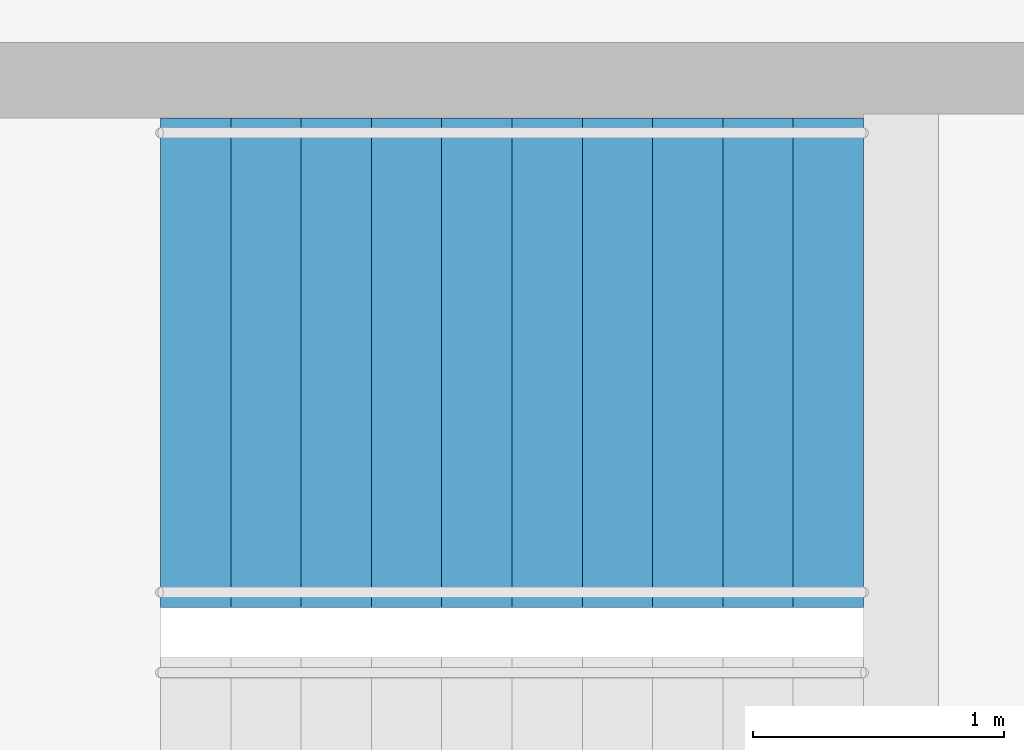
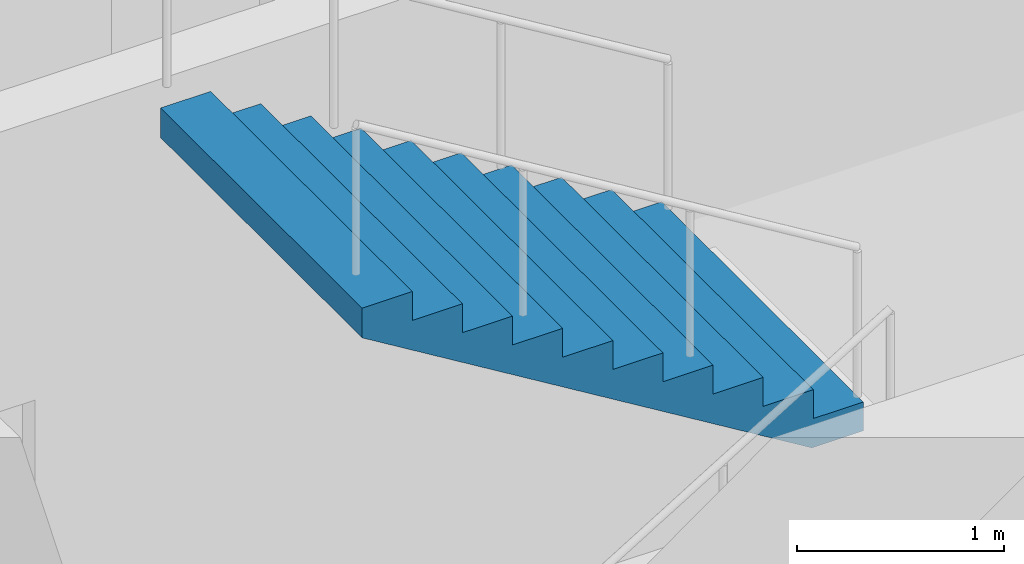
# One storey, part 20 of 23: 1 stair flight, 1 element without a shape of its own.
"""IFC4 building model written with IfcOpenShell, lengths in metres."""

from ifc_helpers import new_model, si_unit, direction, frame, origin, place, context, subcontext, project, spatial, triangles, material, type_object, element, aggregate, save


model = new_model("IFC4")

# Units and contexts
model_context = context("Model", 3, precision=1e-05, world=origin(), true_north=direction((0.0, 1.0)))
body_context = subcontext(model_context, "Body", "Model", "MODEL_VIEW")
ifc_project = project(units=[si_unit("LENGTHUNIT", "METRE"), si_unit("AREAUNIT", "SQUARE_METRE"), si_unit("VOLUMEUNIT", "CUBIC_METRE"), si_unit("PLANEANGLEUNIT", "RADIAN"), si_unit("MASSUNIT", "GRAM", prefix="KILO")], contexts=[model_context])

# Site, building, storey
site_placement = place(None, origin())
site = spatial("IfcSite", under=ifc_project, at=site_placement, CompositionType="ELEMENT")
building_placement = place(site_placement, origin())
building = spatial("IfcBuilding", under=site, at=building_placement, Name="Orbita Commons", CompositionType="ELEMENT")
storey_placement = place(building_placement, frame((0.0, 0.0, 250.300048828125)))
storey = spatial("IfcBuildingStorey", under=building, at=storey_placement, Name="L62", CompositionType="ELEMENT", Elevation=250.300048828125)

# Stair, stair flight
ifc_material_1 = material(Name="Precast concrete C40/50", Category="concrete")
stair_type = type_object("IfcStairType", Name="Exit stair S1 2 flights 11 risers 170", PredefinedType="HALF_TURN_STAIR", material=ifc_material_1)
stair_placement = place(storey_placement, origin())
stair = element("IfcStair", 1, at=stair_placement, inside=storey, type_object=stair_type, Name="Exit stair S1 L62", PredefinedType="HALF_TURN_STAIR")
ifc_material_2 = material(Name="Precast concrete C40/50", Category="concrete")
stair_flight_type = type_object("IfcStairFlightType", Name="Stair flight 11 risers 170 x 280", PredefinedType="STRAIGHT", material=ifc_material_2)
stair_flight_placement = place(storey_placement, frame((23.25, 29.27490234375, 1.875), z_axis=(0.0, 0.0, 1.0), x_axis=(-1.0, 0.0, 0.0)))
stair_flight = element("IfcStairFlight", 2, at=stair_flight_placement, type_object=stair_flight_type, Name="S1 flight 2", NumberOfRisers=11, NumberOfTreads=10, PredefinedType="STRAIGHT", RiserHeight=0.170454545, TreadLength=0.28, context=body_context, shape_type="Tessellation", body=[
    triangles([(0.0, 0.974976, 0.0), (0.0, 0.974976, 0.021307), (0.0, 0.81248, 0.021307), (0.0, 0.81248, 0.0), (0.0, 0.649984, 0.021307), (0.0, 0.649984, 0.0), (0.0, 0.487488, 0.021307), (0.0, 0.487488, 0.0), (0.0, 0.324992, 0.021307), (0.0, 0.324992, 0.0), (0.0, 0.162496, 0.021307), (0.0, 0.162496, 0.0), (0.0, 0.0, 0.021307), (0.0, 0.0, 0.0), (0.0, -0.162496, 0.021307), (0.0, -0.162496, 0.0), (0.0, -0.324992, 0.021307), (0.0, -0.324992, 0.0), (0.0, -0.487488, 0.021307), (0.0, -0.487488, 0.0), (0.0, -0.649984, 0.021307), (0.0, -0.649984, 0.0), (0.0, -0.81248, 0.021307), (0.0, -0.81248, 0.0), (0.0, -0.974976, 0.021307), (0.0, -0.974976, 0.0), (0.0, 0.974976, 0.042614), (0.0, 0.81248, 0.042614), (0.0, 0.649984, 0.042614), (0.0, 0.487488, 0.042614), (0.0, 0.324992, 0.042614), (0.0, 0.162496, 0.042614), (0.0, 0.0, 0.042614), (0.0, -0.162496, 0.042614), (0.0, -0.324992, 0.042614), (0.0, -0.487488, 0.042614), (0.0, -0.649984, 0.042614), (0.0, -0.81248, 0.042614), (0.0, -0.974976, 0.042614), (0.0, 0.974976, 0.06392), (0.0, 0.81248, 0.06392), (0.0, 0.649984, 0.06392), (0.0, 0.487488, 0.06392), (0.0, 0.324992, 0.06392), (0.0, 0.162496, 0.06392), (0.0, 0.0, 0.06392), (0.0, -0.162496, 0.06392), (0.0, -0.324992, 0.06392), (0.0, -0.487488, 0.06392), (0.0, -0.649984, 0.06392), (0.0, -0.81248, 0.06392), (0.0, -0.974976, 0.06392), (0.0, 0.974976, 0.085227), (0.0, 0.81248, 0.085227), (0.0, 0.649984, 0.085227), (0.0, 0.487488, 0.085227), (0.0, 0.324992, 0.085227), (0.0, 0.162496, 0.085227), (0.0, 0.0, 0.085227), (0.0, -0.162496, 0.085227), (0.0, -0.324992, 0.085227), (0.0, -0.487488, 0.085227), (0.0, -0.649984, 0.085227), (0.0, -0.81248, 0.085227), (0.0, -0.974976, 0.085227), (0.0, 0.974976, 0.106534), (0.0, 0.81248, 0.106534), (0.0, 0.649984, 0.106534), (0.0, 0.487488, 0.106534), (0.0, 0.324992, 0.106534), (0.0, 0.162496, 0.106534), (0.0, 0.0, 0.106534), (0.0, -0.162496, 0.106534), (0.0, -0.324992, 0.106534), (0.0, -0.487488, 0.106534), (0.0, -0.649984, 0.106534), (0.0, -0.81248, 0.106534), (0.0, -0.974976, 0.106534), (0.0, 0.974976, 0.127841), (0.0, 0.81248, 0.127841), (0.0, 0.649984, 0.127841), (0.0, 0.487488, 0.127841), (0.0, 0.324992, 0.127841), (0.0, 0.162496, 0.127841), (0.0, 0.0, 0.127841), (0.0, -0.162496, 0.127841), (0.0, -0.324992, 0.127841), (0.0, -0.487488, 0.127841), (0.0, -0.649984, 0.127841), (0.0, -0.81248, 0.127841), (0.0, -0.974976, 0.127841), (0.0, 0.974976, 0.149148), (0.0, 0.81248, 0.149148), (0.0, 0.649984, 0.149148), (0.0, 0.487488, 0.149148), (0.0, 0.324992, 0.149148), (0.0, 0.162496, 0.149148), (0.0, 0.0, 0.149148), (0.0, -0.162496, 0.149148), (0.0, -0.324992, 0.149148), (0.0, -0.487488, 0.149148), (0.0, -0.649984, 0.149148), (0.0, -0.81248, 0.149148), (0.0, -0.974976, 0.149148), (0.0, 0.974976, 0.170455), (0.0, 0.81248, 0.170455), (0.0, 0.649984, 0.170455), (0.0, 0.487488, 0.170455), (0.0, 0.324992, 0.170455), (0.0, 0.162496, 0.170455), (0.0, 0.0, 0.170455), (0.0, -0.162496, 0.170455), (0.0, -0.324992, 0.170455), (0.0, -0.487488, 0.170455), (0.0, -0.649984, 0.170455), (0.0, -0.81248, 0.170455), (0.0, -0.974976, 0.170455), (0.28, 0.974976, 0.170455), (0.28, 0.81248, 0.170455), (0.28, 0.649984, 0.170455), (0.28, 0.487488, 0.170455), (0.28, 0.324992, 0.170455), (0.28, 0.162496, 0.170455), (0.28, 0.0, 0.170455), (0.28, -0.162496, 0.170455), (0.28, -0.324992, 0.170455), (0.28, -0.487488, 0.170455), (0.28, -0.649984, 0.170455), (0.28, -0.81248, 0.170455), (0.28, -0.974976, 0.170455), (0.28, 0.974976, 0.340909), (0.28, 0.81248, 0.340909), (0.28, 0.649984, 0.340909), (0.28, 0.487488, 0.340909), (0.28, 0.324992, 0.340909), (0.28, 0.162496, 0.340909), (0.28, 0.0, 0.340909), (0.28, -0.162496, 0.340909), (0.28, -0.324992, 0.340909), (0.28, -0.487488, 0.340909), (0.28, -0.649984, 0.340909), (0.28, -0.81248, 0.340909), (0.28, -0.974976, 0.340909), (0.56, 0.974976, 0.340909), (0.56, 0.81248, 0.340909), (0.56, 0.649984, 0.340909), (0.56, 0.487488, 0.340909), (0.56, 0.324992, 0.340909), (0.56, 0.162496, 0.340909), (0.56, 0.0, 0.340909), (0.56, -0.162496, 0.340909), (0.56, -0.324992, 0.340909), (0.56, -0.487488, 0.340909), (0.56, -0.649984, 0.340909), (0.56, -0.81248, 0.340909), (0.56, -0.974976, 0.340909), (0.56, 0.974976, 0.511364), (0.56, 0.81248, 0.511364), (0.56, 0.649984, 0.511364), (0.56, 0.487488, 0.511364), (0.56, 0.324992, 0.511364), (0.56, 0.162496, 0.511364), (0.56, 0.0, 0.511364), (0.56, -0.162496, 0.511364), (0.56, -0.324992, 0.511364), (0.56, -0.487488, 0.511364), (0.56, -0.649984, 0.511364), (0.56, -0.81248, 0.511364), (0.56, -0.974976, 0.511364), (0.84, 0.974976, 0.511364), (0.84, 0.81248, 0.511364), (0.84, 0.649984, 0.511364), (0.84, 0.487488, 0.511364), (0.84, 0.324992, 0.511364), (0.84, 0.162496, 0.511364), (0.84, 0.0, 0.511364), (0.84, -0.162496, 0.511364), (0.84, -0.324992, 0.511364), (0.84, -0.487488, 0.511364), (0.84, -0.649984, 0.511364), (0.84, -0.81248, 0.511364), (0.84, -0.974976, 0.511364), (0.84, 0.974976, 0.681818), (0.84, 0.81248, 0.681818), (0.84, 0.649984, 0.681818), (0.84, 0.487488, 0.681818), (0.84, 0.324992, 0.681818), (0.84, 0.162496, 0.681818), (0.84, 0.0, 0.681818), (0.84, -0.162496, 0.681818), (0.84, -0.324992, 0.681818), (0.84, -0.487488, 0.681818), (0.84, -0.649984, 0.681818), (0.84, -0.81248, 0.681818), (0.84, -0.974976, 0.681818), (1.12, 0.974976, 0.681818), (1.12, 0.81248, 0.681818), (1.12, 0.649984, 0.681818), (1.12, 0.487488, 0.681818), (1.12, 0.324992, 0.681818), (1.12, 0.162496, 0.681818), (1.12, 0.0, 0.681818), (1.12, -0.162496, 0.681818), (1.12, -0.324992, 0.681818), (1.12, -0.487488, 0.681818), (1.12, -0.649984, 0.681818), (1.12, -0.81248, 0.681818), (1.12, -0.974976, 0.681818), (1.12, 0.974976, 0.852273), (1.12, 0.81248, 0.852273), (1.12, 0.649984, 0.852273), (1.12, 0.487488, 0.852273), (1.12, 0.324992, 0.852273), (1.12, 0.162496, 0.852273), (1.12, 0.0, 0.852273), (1.12, -0.162496, 0.852273), (1.12, -0.324992, 0.852273), (1.12, -0.487488, 0.852273), (1.12, -0.649984, 0.852273), (1.12, -0.81248, 0.852273), (1.12, -0.974976, 0.852273), (1.4, 0.974976, 0.852273), (1.4, 0.81248, 0.852273), (1.4, 0.649984, 0.852273), (1.4, 0.487488, 0.852273), (1.4, 0.324992, 0.852273), (1.4, 0.162496, 0.852273), (1.4, 0.0, 0.852273), (1.4, -0.162496, 0.852273), (1.4, -0.324992, 0.852273), (1.4, -0.487488, 0.852273), (1.4, -0.649984, 0.852273), (1.4, -0.81248, 0.852273), (1.4, -0.974976, 0.852273), (1.4, 0.974976, 1.022727), (1.4, 0.81248, 1.022727), (1.4, 0.649984, 1.022727), (1.4, 0.487488, 1.022727), (1.4, 0.324992, 1.022727), (1.4, 0.162496, 1.022727), (1.4, 0.0, 1.022727), (1.4, -0.162496, 1.022727), (1.4, -0.324992, 1.022727), (1.4, -0.487488, 1.022727), (1.4, -0.649984, 1.022727), (1.4, -0.81248, 1.022727), (1.4, -0.974976, 1.022727), (1.68, 0.974976, 1.022727), (1.68, 0.81248, 1.022727), (1.68, 0.649984, 1.022727), (1.68, 0.487488, 1.022727), (1.68, 0.324992, 1.022727), (1.68, 0.162496, 1.022727), (1.68, 0.0, 1.022727), (1.68, -0.162496, 1.022727), (1.68, -0.324992, 1.022727), (1.68, -0.487488, 1.022727), (1.68, -0.649984, 1.022727), (1.68, -0.81248, 1.022727), (1.68, -0.974976, 1.022727), (1.68, 0.974976, 1.193182), (1.68, 0.81248, 1.193182), (1.68, 0.649984, 1.193182), (1.68, 0.487488, 1.193182), (1.68, 0.324992, 1.193182), (1.68, 0.162496, 1.193182), (1.68, 0.0, 1.193182), (1.68, -0.162496, 1.193182), (1.68, -0.324992, 1.193182), (1.68, -0.487488, 1.193182), (1.68, -0.649984, 1.193182), (1.68, -0.81248, 1.193182), (1.68, -0.974976, 1.193182), (1.96, 0.974976, 1.193182), (1.96, 0.81248, 1.193182), (1.96, 0.649984, 1.193182), (1.96, 0.487488, 1.193182), (1.96, 0.324992, 1.193182), (1.96, 0.162496, 1.193182), (1.96, 0.0, 1.193182), (1.96, -0.162496, 1.193182), (1.96, -0.324992, 1.193182), (1.96, -0.487488, 1.193182), (1.96, -0.649984, 1.193182), (1.96, -0.81248, 1.193182), (1.96, -0.974976, 1.193182), (1.96, 0.974976, 1.363636), (1.96, 0.81248, 1.363636), (1.96, 0.649984, 1.363636), (1.96, 0.487488, 1.363636), (1.96, 0.324992, 1.363636), (1.96, 0.162496, 1.363636), (1.96, 0.0, 1.363636), (1.96, -0.162496, 1.363636), (1.96, -0.324992, 1.363636), (1.96, -0.487488, 1.363636), (1.96, -0.649984, 1.363636), (1.96, -0.81248, 1.363636), (1.96, -0.974976, 1.363636), (2.24, 0.974976, 1.363636), (2.24, 0.81248, 1.363636), (2.24, 0.649984, 1.363636), (2.24, 0.487488, 1.363636), (2.24, 0.324992, 1.363636), (2.24, 0.162496, 1.363636), (2.24, 0.0, 1.363636), (2.24, -0.162496, 1.363636), (2.24, -0.324992, 1.363636), (2.24, -0.487488, 1.363636), (2.24, -0.649984, 1.363636), (2.24, -0.81248, 1.363636), (2.24, -0.974976, 1.363636), (2.24, 0.974976, 1.534091), (2.24, 0.81248, 1.534091), (2.24, 0.649984, 1.534091), (2.24, 0.487488, 1.534091), (2.24, 0.324992, 1.534091), (2.24, 0.162496, 1.534091), (2.24, 0.0, 1.534091), (2.24, -0.162496, 1.534091), (2.24, -0.324992, 1.534091), (2.24, -0.487488, 1.534091), (2.24, -0.649984, 1.534091), (2.24, -0.81248, 1.534091), (2.24, -0.974976, 1.534091), (2.52, 0.974976, 1.534091), (2.52, 0.81248, 1.534091), (2.52, 0.649984, 1.534091), (2.52, 0.487488, 1.534091), (2.52, 0.324992, 1.534091), (2.52, 0.162496, 1.534091), (2.52, 0.0, 1.534091), (2.52, -0.162496, 1.534091), (2.52, -0.324992, 1.534091), (2.52, -0.487488, 1.534091), (2.52, -0.649984, 1.534091), (2.52, -0.81248, 1.534091), (2.52, -0.974976, 1.534091), (2.52, 0.974976, 1.704545), (2.52, 0.81248, 1.704545), (2.52, 0.649984, 1.704545), (2.52, 0.487488, 1.704545), (2.52, 0.324992, 1.704545), (2.52, 0.162496, 1.704545), (2.52, 0.0, 1.704545), (2.52, -0.162496, 1.704545), (2.52, -0.324992, 1.704545), (2.52, -0.487488, 1.704545), (2.52, -0.649984, 1.704545), (2.52, -0.81248, 1.704545), (2.52, -0.974976, 1.704545), (2.8, 0.974976, 1.704545), (2.8, 0.81248, 1.704545), (2.8, 0.649984, 1.704545), (2.8, 0.487488, 1.704545), (2.8, 0.324992, 1.704545), (2.8, 0.162496, 1.704545), (2.8, 0.0, 1.704545), (2.8, -0.162496, 1.704545), (2.8, -0.324992, 1.704545), (2.8, -0.487488, 1.704545), (2.8, -0.649984, 1.704545), (2.8, -0.81248, 1.704545), (2.8, -0.974976, 1.704545), (2.8, 0.974976, 1.682609), (2.8, 0.81248, 1.682609), (2.8, 0.649984, 1.682609), (2.8, 0.487488, 1.682609), (2.8, 0.324992, 1.682609), (2.8, 0.162496, 1.682609), (2.8, 0.0, 1.682609), (2.8, -0.162496, 1.682609), (2.8, -0.324992, 1.682609), (2.8, -0.487488, 1.682609), (2.8, -0.649984, 1.682609), (2.8, -0.81248, 1.682609), (2.8, -0.974976, 1.682609), (2.8, 0.974976, 1.660672), (2.8, 0.81248, 1.660672), (2.8, 0.649984, 1.660672), (2.8, 0.487488, 1.660672), (2.8, 0.324992, 1.660672), (2.8, 0.162496, 1.660672), (2.8, 0.0, 1.660672), (2.8, -0.162496, 1.660672), (2.8, -0.324992, 1.660672), (2.8, -0.487488, 1.660672), (2.8, -0.649984, 1.660672), (2.8, -0.81248, 1.660672), (2.8, -0.974976, 1.660672), (2.8, 0.974976, 1.638735), (2.8, 0.81248, 1.638735), (2.8, 0.649984, 1.638735), (2.8, 0.487488, 1.638735), (2.8, 0.324992, 1.638735), (2.8, 0.162496, 1.638735), (2.8, 0.0, 1.638735), (2.8, -0.162496, 1.638735), (2.8, -0.324992, 1.638735), (2.8, -0.487488, 1.638735), (2.8, -0.649984, 1.638735), (2.8, -0.81248, 1.638735), (2.8, -0.974976, 1.638735), (2.8, 0.974976, 1.616798), (2.8, 0.81248, 1.616798), (2.8, 0.649984, 1.616798), (2.8, 0.487488, 1.616798), (2.8, 0.324992, 1.616798), (2.8, 0.162496, 1.616798), (2.8, 0.0, 1.616798), (2.8, -0.162496, 1.616798), (2.8, -0.324992, 1.616798), (2.8, -0.487488, 1.616798), (2.8, -0.649984, 1.616798), (2.8, -0.81248, 1.616798), (2.8, -0.974976, 1.616798), (2.8, 0.974976, 1.594861), (2.8, 0.81248, 1.594861), (2.8, 0.649984, 1.594861), (2.8, 0.487488, 1.594861), (2.8, 0.324992, 1.594861), (2.8, 0.162496, 1.594861), (2.8, 0.0, 1.594861), (2.8, -0.162496, 1.594861), (2.8, -0.324992, 1.594861), (2.8, -0.487488, 1.594861), (2.8, -0.649984, 1.594861), (2.8, -0.81248, 1.594861), (2.8, -0.974976, 1.594861), (2.8, 0.974976, 1.572925), (2.8, 0.81248, 1.572925), (2.8, 0.649984, 1.572925), (2.8, 0.487488, 1.572925), (2.8, 0.324992, 1.572925), (2.8, 0.162496, 1.572925), (2.8, 0.0, 1.572925), (2.8, -0.162496, 1.572925), (2.8, -0.324992, 1.572925), (2.8, -0.487488, 1.572925), (2.8, -0.649984, 1.572925), (2.8, -0.81248, 1.572925), (2.8, -0.974976, 1.572925), (2.8, 0.974976, 1.550988), (2.8, 0.81248, 1.550988), (2.8, 0.649984, 1.550988), (2.8, 0.487488, 1.550988), (2.8, 0.324992, 1.550988), (2.8, 0.162496, 1.550988), (2.8, 0.0, 1.550988), (2.8, -0.162496, 1.550988), (2.8, -0.324992, 1.550988), (2.8, -0.487488, 1.550988), (2.8, -0.649984, 1.550988), (2.8, -0.81248, 1.550988), (2.8, -0.974976, 1.550988), (2.8, 0.974976, 1.529051), (2.8, 0.81248, 1.529051), (2.8, 0.649984, 1.529051), (2.8, 0.487488, 1.529051), (2.8, 0.324992, 1.529051), (2.8, 0.162496, 1.529051), (2.8, 0.0, 1.529051), (2.8, -0.162496, 1.529051), (2.8, -0.324992, 1.529051), (2.8, -0.487488, 1.529051), (2.8, -0.649984, 1.529051), (2.8, -0.81248, 1.529051), (2.8, -0.974976, 1.529051), (0.288279, 0.974976, 0.0), (0.288279, 0.81248, 0.0), (0.288279, 0.649984, 0.0), (0.288279, 0.487488, 0.0), (0.288279, 0.324992, 0.0), (0.288279, 0.162496, 0.0), (0.288279, 0.0, 0.0), (0.288279, -0.162496, 0.0), (0.288279, -0.324992, 0.0), (0.288279, -0.487488, 0.0), (0.288279, -0.649984, 0.0), (0.288279, -0.81248, 0.0), (0.288279, -0.974976, 0.0)], [[3, 2, 1], [4, 3, 1], [5, 3, 4], [6, 5, 4], [7, 5, 6], [8, 7, 6], [9, 7, 8], [10, 9, 8], [11, 9, 10], [12, 11, 10], [13, 11, 12], [14, 13, 12], [15, 13, 14], [16, 15, 14], [17, 15, 16], [18, 17, 16], [19, 17, 18], [20, 19, 18], [21, 19, 20], [22, 21, 20], [23, 21, 22], [24, 23, 22], [25, 23, 24], [26, 25, 24], [28, 27, 2], [3, 28, 2], [29, 28, 3], [5, 29, 3], [30, 29, 5], [7, 30, 5], [31, 30, 7], [9, 31, 7], [32, 31, 9], [11, 32, 9], [33, 32, 11], [13, 33, 11], [34, 33, 13], [15, 34, 13], [35, 34, 15], [17, 35, 15], [36, 35, 17], [19, 36, 17], [37, 36, 19], [21, 37, 19], [38, 37, 21], [23, 38, 21], [39, 38, 23], [25, 39, 23], [41, 40, 27], [28, 41, 27], [42, 41, 28], [29, 42, 28], [43, 42, 29], [30, 43, 29], [44, 43, 30], [31, 44, 30], [45, 44, 31], [32, 45, 31], [46, 45, 32], [33, 46, 32], [47, 46, 33], [34, 47, 33], [48, 47, 34], [35, 48, 34], [49, 48, 35], [36, 49, 35], [50, 49, 36], [37, 50, 36], [51, 50, 37], [38, 51, 37], [52, 51, 38], [39, 52, 38], [54, 53, 40], [41, 54, 40], [55, 54, 41], [42, 55, 41], [56, 55, 42], [43, 56, 42], [57, 56, 43], [44, 57, 43], [58, 57, 44], [45, 58, 44], [59, 58, 45], [46, 59, 45], [60, 59, 46], [47, 60, 46], [61, 60, 47], [48, 61, 47], [62, 61, 48], [49, 62, 48], [63, 62, 49], [50, 63, 49], [64, 63, 50], [51, 64, 50], [65, 64, 51], [52, 65, 51], [67, 66, 53], [54, 67, 53], [68, 67, 54], [55, 68, 54], [69, 68, 55], [56, 69, 55], [70, 69, 56], [57, 70, 56], [71, 70, 57], [58, 71, 57], [72, 71, 58], [59, 72, 58], [73, 72, 59], [60, 73, 59], [74, 73, 60], [61, 74, 60], [75, 74, 61], [62, 75, 61], [76, 75, 62], [63, 76, 62], [77, 76, 63], [64, 77, 63], [78, 77, 64], [65, 78, 64], [80, 79, 66], [67, 80, 66], [81, 80, 67], [68, 81, 67], [82, 81, 68], [69, 82, 68], [83, 82, 69], [70, 83, 69], [84, 83, 70], [71, 84, 70], [85, 84, 71], [72, 85, 71], [86, 85, 72], [73, 86, 72], [87, 86, 73], [74, 87, 73], [88, 87, 74], [75, 88, 74], [89, 88, 75], [76, 89, 75], [90, 89, 76], [77, 90, 76], [91, 90, 77], [78, 91, 77], [93, 92, 79], [80, 93, 79], [94, 93, 80], [81, 94, 80], [95, 94, 81], [82, 95, 81], [96, 95, 82], [83, 96, 82], [97, 96, 83], [84, 97, 83], [98, 97, 84], [85, 98, 84], [99, 98, 85], [86, 99, 85], [100, 99, 86], [87, 100, 86], [101, 100, 87], [88, 101, 87], [102, 101, 88], [89, 102, 88], [103, 102, 89], [90, 103, 89], [104, 103, 90], [91, 104, 90], [106, 105, 92], [93, 106, 92], [107, 106, 93], [94, 107, 93], [108, 107, 94], [95, 108, 94], [109, 108, 95], [96, 109, 95], [110, 109, 96], [97, 110, 96], [111, 110, 97], [98, 111, 97], [112, 111, 98], [99, 112, 98], [113, 112, 99], [100, 113, 99], [114, 113, 100], [101, 114, 100], [115, 114, 101], [102, 115, 101], [116, 115, 102], [103, 116, 102], [117, 116, 103], [104, 117, 103], [119, 118, 105], [106, 119, 105], [120, 119, 106], [107, 120, 106], [121, 120, 107], [108, 121, 107], [122, 121, 108], [109, 122, 108], [123, 122, 109], [110, 123, 109], [124, 123, 110], [111, 124, 110], [125, 124, 111], [112, 125, 111], [126, 125, 112], [113, 126, 112], [127, 126, 113], [114, 127, 113], [128, 127, 114], [115, 128, 114], [129, 128, 115], [116, 129, 115], [130, 129, 116], [117, 130, 116], [132, 131, 118], [119, 132, 118], [133, 132, 119], [120, 133, 119], [134, 133, 120], [121, 134, 120], [135, 134, 121], [122, 135, 121], [136, 135, 122], [123, 136, 122], [137, 136, 123], [124, 137, 123], [138, 137, 124], [125, 138, 124], [139, 138, 125], [126, 139, 125], [140, 139, 126], [127, 140, 126], [141, 140, 127], [128, 141, 127], [142, 141, 128], [129, 142, 128], [143, 142, 129], [130, 143, 129], [145, 144, 131], [132, 145, 131], [146, 145, 132], [133, 146, 132], [147, 146, 133], [134, 147, 133], [148, 147, 134], [135, 148, 134], [149, 148, 135], [136, 149, 135], [150, 149, 136], [137, 150, 136], [151, 150, 137], [138, 151, 137], [152, 151, 138], [139, 152, 138], [153, 152, 139], [140, 153, 139], [154, 153, 140], [141, 154, 140], [155, 154, 141], [142, 155, 141], [156, 155, 142], [143, 156, 142], [158, 157, 144], [145, 158, 144], [159, 158, 145], [146, 159, 145], [160, 159, 146], [147, 160, 146], [161, 160, 147], [148, 161, 147], [162, 161, 148], [149, 162, 148], [163, 162, 149], [150, 163, 149], [164, 163, 150], [151, 164, 150], [165, 164, 151], [152, 165, 151], [166, 165, 152], [153, 166, 152], [167, 166, 153], [154, 167, 153], [168, 167, 154], [155, 168, 154], [169, 168, 155], [156, 169, 155], [171, 170, 157], [158, 171, 157], [172, 171, 158], [159, 172, 158], [173, 172, 159], [160, 173, 159], [174, 173, 160], [161, 174, 160], [175, 174, 161], [162, 175, 161], [176, 175, 162], [163, 176, 162], [177, 176, 163], [164, 177, 163], [178, 177, 164], [165, 178, 164], [179, 178, 165], [166, 179, 165], [180, 179, 166], [167, 180, 166], [181, 180, 167], [168, 181, 167], [182, 181, 168], [169, 182, 168], [184, 183, 170], [171, 184, 170], [185, 184, 171], [172, 185, 171], [186, 185, 172], [173, 186, 172], [187, 186, 173], [174, 187, 173], [188, 187, 174], [175, 188, 174], [189, 188, 175], [176, 189, 175], [190, 189, 176], [177, 190, 176], [191, 190, 177], [178, 191, 177], [192, 191, 178], [179, 192, 178], [193, 192, 179], [180, 193, 179], [194, 193, 180], [181, 194, 180], [195, 194, 181], [182, 195, 181], [197, 196, 183], [184, 197, 183], [198, 197, 184], [185, 198, 184], [199, 198, 185], [186, 199, 185], [200, 199, 186], [187, 200, 186], [201, 200, 187], [188, 201, 187], [202, 201, 188], [189, 202, 188], [203, 202, 189], [190, 203, 189], [204, 203, 190], [191, 204, 190], [205, 204, 191], [192, 205, 191], [206, 205, 192], [193, 206, 192], [207, 206, 193], [194, 207, 193], [208, 207, 194], [195, 208, 194], [210, 209, 196], [197, 210, 196], [211, 210, 197], [198, 211, 197], [212, 211, 198], [199, 212, 198], [213, 212, 199], [200, 213, 199], [214, 213, 200], [201, 214, 200], [215, 214, 201], [202, 215, 201], [216, 215, 202], [203, 216, 202], [217, 216, 203], [204, 217, 203], [218, 217, 204], [205, 218, 204], [219, 218, 205], [206, 219, 205], [220, 219, 206], [207, 220, 206], [221, 220, 207], [208, 221, 207], [223, 222, 209], [210, 223, 209], [224, 223, 210], [211, 224, 210], [225, 224, 211], [212, 225, 211], [226, 225, 212], [213, 226, 212], [227, 226, 213], [214, 227, 213], [228, 227, 214], [215, 228, 214], [229, 228, 215], [216, 229, 215], [230, 229, 216], [217, 230, 216], [231, 230, 217], [218, 231, 217], [232, 231, 218], [219, 232, 218], [233, 232, 219], [220, 233, 219], [234, 233, 220], [221, 234, 220], [236, 235, 222], [223, 236, 222], [237, 236, 223], [224, 237, 223], [238, 237, 224], [225, 238, 224], [239, 238, 225], [226, 239, 225], [240, 239, 226], [227, 240, 226], [241, 240, 227], [228, 241, 227], [242, 241, 228], [229, 242, 228], [243, 242, 229], [230, 243, 229], [244, 243, 230], [231, 244, 230], [245, 244, 231], [232, 245, 231], [246, 245, 232], [233, 246, 232], [247, 246, 233], [234, 247, 233], [249, 248, 235], [236, 249, 235], [250, 249, 236], [237, 250, 236], [251, 250, 237], [238, 251, 237], [252, 251, 238], [239, 252, 238], [253, 252, 239], [240, 253, 239], [254, 253, 240], [241, 254, 240], [255, 254, 241], [242, 255, 241], [256, 255, 242], [243, 256, 242], [257, 256, 243], [244, 257, 243], [258, 257, 244], [245, 258, 244], [259, 258, 245], [246, 259, 245], [260, 259, 246], [247, 260, 246], [262, 261, 248], [249, 262, 248], [263, 262, 249], [250, 263, 249], [264, 263, 250], [251, 264, 250], [265, 264, 251], [252, 265, 251], [266, 265, 252], [253, 266, 252], [267, 266, 253], [254, 267, 253], [268, 267, 254], [255, 268, 254], [269, 268, 255], [256, 269, 255], [270, 269, 256], [257, 270, 256], [271, 270, 257], [258, 271, 257], [272, 271, 258], [259, 272, 258], [273, 272, 259], [260, 273, 259], [275, 274, 261], [262, 275, 261], [276, 275, 262], [263, 276, 262], [277, 276, 263], [264, 277, 263], [278, 277, 264], [265, 278, 264], [279, 278, 265], [266, 279, 265], [280, 279, 266], [267, 280, 266], [281, 280, 267], [268, 281, 267], [282, 281, 268], [269, 282, 268], [283, 282, 269], [270, 283, 269], [284, 283, 270], [271, 284, 270], [285, 284, 271], [272, 285, 271], [286, 285, 272], [273, 286, 272], [288, 287, 274], [275, 288, 274], [289, 288, 275], [276, 289, 275], [290, 289, 276], [277, 290, 276], [291, 290, 277], [278, 291, 277], [292, 291, 278], [279, 292, 278], [293, 292, 279], [280, 293, 279], [294, 293, 280], [281, 294, 280], [295, 294, 281], [282, 295, 281], [296, 295, 282], [283, 296, 282], [297, 296, 283], [284, 297, 283], [298, 297, 284], [285, 298, 284], [299, 298, 285], [286, 299, 285], [301, 300, 287], [288, 301, 287], [302, 301, 288], [289, 302, 288], [303, 302, 289], [290, 303, 289], [304, 303, 290], [291, 304, 290], [305, 304, 291], [292, 305, 291], [306, 305, 292], [293, 306, 292], [307, 306, 293], [294, 307, 293], [308, 307, 294], [295, 308, 294], [309, 308, 295], [296, 309, 295], [310, 309, 296], [297, 310, 296], [311, 310, 297], [298, 311, 297], [312, 311, 298], [299, 312, 298], [314, 313, 300], [301, 314, 300], [315, 314, 301], [302, 315, 301], [316, 315, 302], [303, 316, 302], [317, 316, 303], [304, 317, 303], [318, 317, 304], [305, 318, 304], [319, 318, 305], [306, 319, 305], [320, 319, 306], [307, 320, 306], [321, 320, 307], [308, 321, 307], [322, 321, 308], [309, 322, 308], [323, 322, 309], [310, 323, 309], [324, 323, 310], [311, 324, 310], [325, 324, 311], [312, 325, 311], [327, 326, 313], [314, 327, 313], [328, 327, 314], [315, 328, 314], [329, 328, 315], [316, 329, 315], [330, 329, 316], [317, 330, 316], [331, 330, 317], [318, 331, 317], [332, 331, 318], [319, 332, 318], [333, 332, 319], [320, 333, 319], [334, 333, 320], [321, 334, 320], [335, 334, 321], [322, 335, 321], [336, 335, 322], [323, 336, 322], [337, 336, 323], [324, 337, 323], [338, 337, 324], [325, 338, 324], [340, 339, 326], [327, 340, 326], [341, 340, 327], [328, 341, 327], [342, 341, 328], [329, 342, 328], [343, 342, 329], [330, 343, 329], [344, 343, 330], [331, 344, 330], [345, 344, 331], [332, 345, 331], [346, 345, 332], [333, 346, 332], [347, 346, 333], [334, 347, 333], [348, 347, 334], [335, 348, 334], [349, 348, 335], [336, 349, 335], [350, 349, 336], [337, 350, 336], [351, 350, 337], [338, 351, 337], [353, 352, 339], [340, 353, 339], [354, 353, 340], [341, 354, 340], [355, 354, 341], [342, 355, 341], [356, 355, 342], [343, 356, 342], [357, 356, 343], [344, 357, 343], [358, 357, 344], [345, 358, 344], [359, 358, 345], [346, 359, 345], [360, 359, 346], [347, 360, 346], [361, 360, 347], [348, 361, 347], [362, 361, 348], [349, 362, 348], [363, 362, 349], [350, 363, 349], [364, 363, 350], [351, 364, 350], [366, 365, 352], [353, 366, 352], [367, 366, 353], [354, 367, 353], [368, 367, 354], [355, 368, 354], [369, 368, 355], [356, 369, 355], [370, 369, 356], [357, 370, 356], [371, 370, 357], [358, 371, 357], [372, 371, 358], [359, 372, 358], [373, 372, 359], [360, 373, 359], [374, 373, 360], [361, 374, 360], [375, 374, 361], [362, 375, 361], [376, 375, 362], [363, 376, 362], [377, 376, 363], [364, 377, 363], [379, 378, 365], [366, 379, 365], [380, 379, 366], [367, 380, 366], [381, 380, 367], [368, 381, 367], [382, 381, 368], [369, 382, 368], [383, 382, 369], [370, 383, 369], [384, 383, 370], [371, 384, 370], [385, 384, 371], [372, 385, 371], [386, 385, 372], [373, 386, 372], [387, 386, 373], [374, 387, 373], [388, 387, 374], [375, 388, 374], [389, 388, 375], [376, 389, 375], [390, 389, 376], [377, 390, 376], [392, 391, 378], [379, 392, 378], [393, 392, 379], [380, 393, 379], [394, 393, 380], [381, 394, 380], [395, 394, 381], [382, 395, 381], [396, 395, 382], [383, 396, 382], [397, 396, 383], [384, 397, 383], [398, 397, 384], [385, 398, 384], [399, 398, 385], [386, 399, 385], [400, 399, 386], [387, 400, 386], [401, 400, 387], [388, 401, 387], [402, 401, 388], [389, 402, 388], [403, 402, 389], [390, 403, 389], [405, 404, 391], [392, 405, 391], [406, 405, 392], [393, 406, 392], [407, 406, 393], [394, 407, 393], [408, 407, 394], [395, 408, 394], [409, 408, 395], [396, 409, 395], [410, 409, 396], [397, 410, 396], [411, 410, 397], [398, 411, 397], [412, 411, 398], [399, 412, 398], [413, 412, 399], [400, 413, 399], [414, 413, 400], [401, 414, 400], [415, 414, 401], [402, 415, 401], [416, 415, 402], [403, 416, 402], [418, 417, 404], [405, 418, 404], [419, 418, 405], [406, 419, 405], [420, 419, 406], [407, 420, 406], [421, 420, 407], [408, 421, 407], [422, 421, 408], [409, 422, 408], [423, 422, 409], [410, 423, 409], [424, 423, 410], [411, 424, 410], [425, 424, 411], [412, 425, 411], [426, 425, 412], [413, 426, 412], [427, 426, 413], [414, 427, 413], [428, 427, 414], [415, 428, 414], [429, 428, 415], [416, 429, 415], [431, 430, 417], [418, 431, 417], [432, 431, 418], [419, 432, 418], [433, 432, 419], [420, 433, 419], [434, 433, 420], [421, 434, 420], [435, 434, 421], [422, 435, 421], [436, 435, 422], [423, 436, 422], [437, 436, 423], [424, 437, 423], [438, 437, 424], [425, 438, 424], [439, 438, 425], [426, 439, 425], [440, 439, 426], [427, 440, 426], [441, 440, 427], [428, 441, 427], [442, 441, 428], [429, 442, 428], [444, 443, 430], [431, 444, 430], [445, 444, 431], [432, 445, 431], [446, 445, 432], [433, 446, 432], [447, 446, 433], [434, 447, 433], [448, 447, 434], [435, 448, 434], [449, 448, 435], [436, 449, 435], [450, 449, 436], [437, 450, 436], [451, 450, 437], [438, 451, 437], [452, 451, 438], [439, 452, 438], [453, 452, 439], [440, 453, 439], [454, 453, 440], [441, 454, 440], [455, 454, 441], [442, 455, 441], [457, 456, 443], [444, 457, 443], [458, 457, 444], [445, 458, 444], [459, 458, 445], [446, 459, 445], [460, 459, 446], [447, 460, 446], [461, 460, 447], [448, 461, 447], [462, 461, 448], [449, 462, 448], [463, 462, 449], [450, 463, 449], [464, 463, 450], [451, 464, 450], [465, 464, 451], [452, 465, 451], [466, 465, 452], [453, 466, 452], [467, 466, 453], [454, 467, 453], [468, 467, 454], [455, 468, 454], [470, 469, 456], [457, 470, 456], [471, 470, 457], [458, 471, 457], [472, 471, 458], [459, 472, 458], [473, 472, 459], [460, 473, 459], [474, 473, 460], [461, 474, 460], [475, 474, 461], [462, 475, 461], [476, 475, 462], [463, 476, 462], [477, 476, 463], [464, 477, 463], [478, 477, 464], [465, 478, 464], [479, 478, 465], [466, 479, 465], [480, 479, 466], [467, 480, 466], [481, 480, 467], [468, 481, 467], [4, 1, 469], [470, 4, 469], [6, 4, 470], [471, 6, 470], [8, 6, 471], [472, 8, 471], [10, 8, 472], [473, 10, 472], [12, 10, 473], [474, 12, 473], [14, 12, 474], [475, 14, 474], [16, 14, 475], [476, 16, 475], [18, 16, 476], [477, 18, 476], [20, 18, 477], [478, 20, 477], [22, 20, 478], [479, 22, 478], [24, 22, 479], [480, 24, 479], [26, 24, 480], [481, 26, 480], [456, 469, 1], [26, 481, 468], [443, 456, 1], [26, 468, 455], [430, 443, 1], [26, 455, 442], [417, 430, 1], [26, 442, 429], [404, 417, 1], [26, 429, 416], [391, 404, 1], [26, 416, 403], [378, 391, 1], [26, 403, 390], [365, 378, 1], [26, 390, 377], [339, 352, 365], [377, 364, 351], [326, 339, 365], [377, 351, 338], [300, 313, 326], [338, 325, 312], [300, 326, 365], [377, 338, 312], [274, 287, 300], [312, 299, 286], [274, 300, 365], [377, 312, 286], [248, 261, 274], [286, 273, 260], [248, 274, 365], [377, 286, 260], [222, 235, 248], [260, 247, 234], [222, 248, 365], [377, 260, 234], [196, 209, 222], [234, 221, 208], [196, 222, 365], [377, 234, 208], [170, 183, 196], [208, 195, 182], [170, 196, 365], [377, 208, 182], [144, 157, 170], [182, 169, 156], [144, 170, 365], [377, 182, 156], [118, 131, 144], [156, 143, 130], [118, 144, 365], [377, 156, 130], [118, 365, 1], [26, 377, 130], [92, 105, 118], [130, 117, 104], [79, 92, 118], [130, 104, 91], [66, 79, 118], [130, 91, 78], [53, 66, 118], [130, 78, 65], [40, 53, 118], [130, 65, 52], [27, 40, 118], [130, 52, 39], [2, 27, 118], [130, 39, 25], [1, 2, 118], [130, 25, 26]], closed=True),
])
aggregate(stair, [stair_flight])

save(model, "model.ifc")
